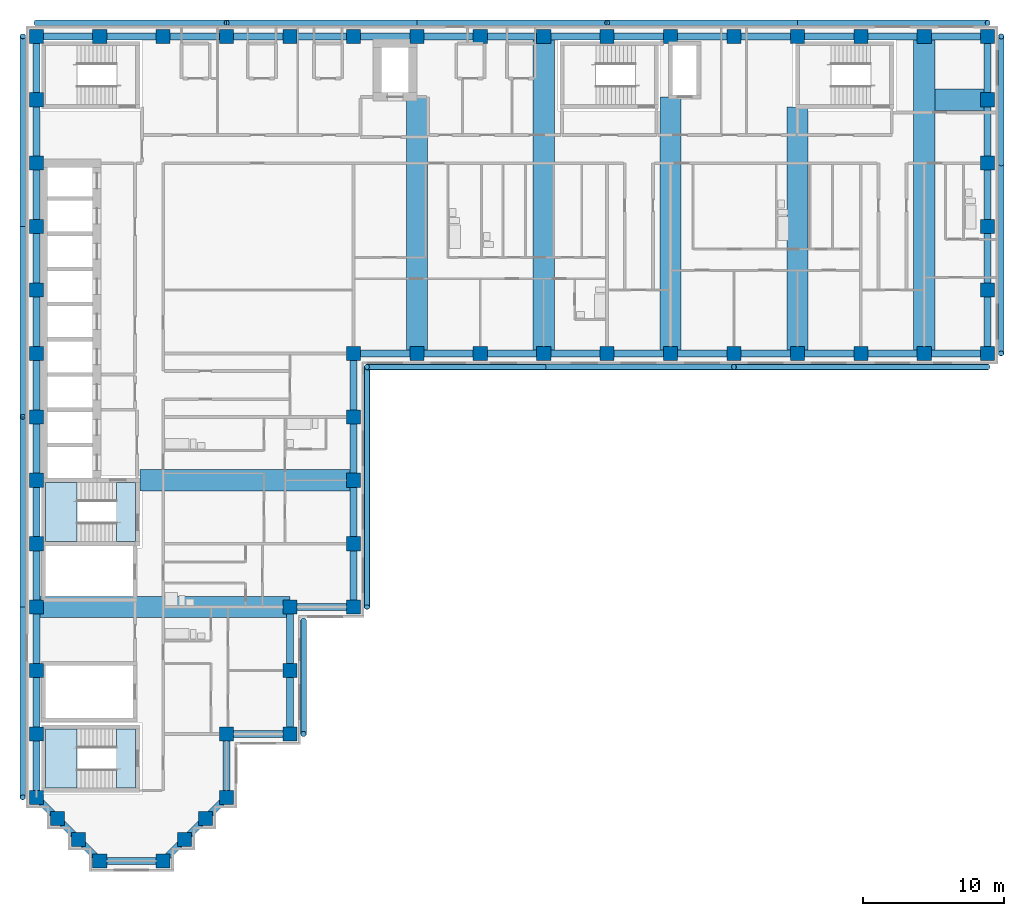
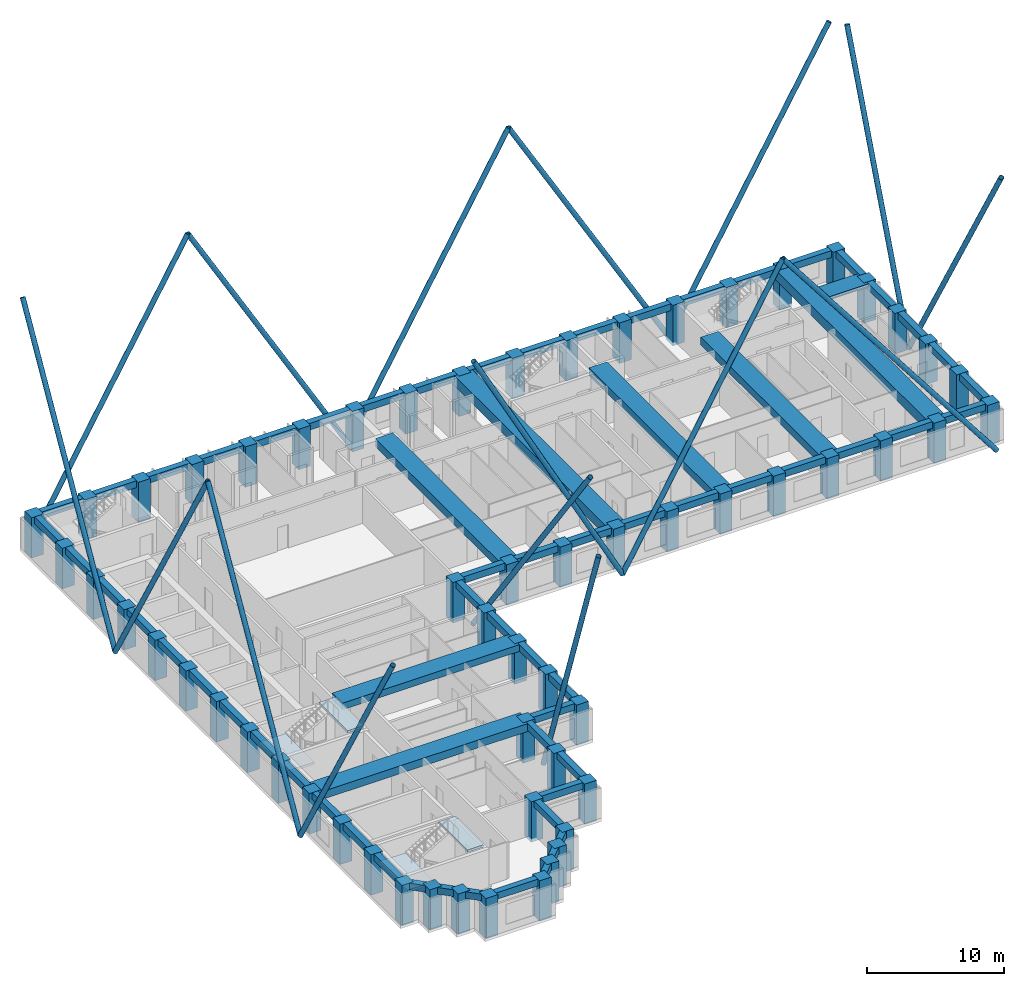
# One storey, part 1 of 13: 66 beams, 58 columns, 16 members, 4 slabs, 2 elements without a shape of their own.
"""IFC4 building model written with IfcOpenShell, lengths in metres."""

from ifc_helpers import new_model, si_unit, direction, frame, origin, origin_2d, place, context, subcontext, project, spatial, polyline, rectangle, hollow_circle, outline, extrude, material, layer, layer_set, material_profile, profile_set, type_object, element, aggregate, save


model = new_model("IFC4")

# Units and contexts
model_context = context("Model", 3, precision=1e-05, world=origin(), true_north=direction((0.0, 1.0)))
body_context = subcontext(model_context, "Body", "Model", "MODEL_VIEW")
ifc_project = project(units=[si_unit("LENGTHUNIT", "METRE"), si_unit("AREAUNIT", "SQUARE_METRE"), si_unit("VOLUMEUNIT", "CUBIC_METRE"), si_unit("PLANEANGLEUNIT", "RADIAN"), si_unit("MASSUNIT", "GRAM", prefix="KILO")], contexts=[model_context])

# Site, building, storey
site_placement = place(None, origin())
site = spatial("IfcSite", under=ifc_project, at=site_placement, CompositionType="ELEMENT")
building_placement = place(site_placement, origin())
building = spatial("IfcBuilding", under=site, at=building_placement, Name="Firuza Court", CompositionType="ELEMENT")
storey_placement = place(building_placement, frame((0.0, 0.0, 162.800048828125)))
storey = spatial("IfcBuildingStorey", under=building, at=storey_placement, Name="L41", CompositionType="ELEMENT", Elevation=162.800048828125)

# Columns
ifc_material_1 = material(Name="Concrete C60/75", Category="concrete")
ifc_material_profile_1 = material_profile(ifc_material_1, rectangle(XDim=1.0, YDim=1.0, at=origin_2d()), Name="RC 1000x1000")
ifc_profile_set_1 = profile_set([ifc_material_profile_1], Name="Concrete C60/75")
column_type = type_object("IfcColumnType", Name="Tube column RC 1000x1000 C60/75", PredefinedType="COLUMN", material=ifc_profile_set_1)
for number, where, z_axis, x_axis, name in (
    (1, (4.5, 0.0, -0.300048828125), (0.0, 0.0, 1.0), (1.0, 0.0, 0.0), "Column C-2D L41"),
    (2, (9.0, 0.0, -0.300048828125), (0.0, 0.0, 1.0), (1.0, 0.0, 0.0), "Column C-3D L41"),
    (3, (3.0, 1.5, -0.300048828125), (0.0, 0.0, 1.0), (1.0, 0.0, 0.0), "Column C-SA1 L41"),
    (4, (10.5, 1.5, -0.300048828125), (0.0, 0.0, 1.0), (1.0, 0.0, 0.0), "Column C-SA2 L41"),
    (5, (1.5, 3.0, -0.300048828125), (0.0, 0.0, 1.0), (1.0, 0.0, 0.0), "Column C-SA3 L41"),
    (6, (12.0, 3.0, -0.300048828125), (0.0, 0.0, 1.0), (1.0, 0.0, 0.0), "Column C-SA4 L41"),
    (7, (0.0, 4.5, -0.300048828125), (0.0, 0.0, 1.0), (1.0, 0.0, 0.0), "Column C-1E L41"),
    (8, (13.5, 4.5, -0.300048828125), (0.0, 0.0, 1.0), (1.0, 0.0, 0.0), "Column C-4E L41"),
    (9, (0.0, 9.0, -0.300048828125), (0.0, 0.0, 1.0), (1.0, 0.0, 0.0), "Column C-1F L41"),
    (10, (13.5, 9.0, -0.300048828125), (0.0, 0.0, 1.0), (1.0, 0.0, 0.0), "Column C-4F L41"),
    (11, (18.0, 9.0, -0.300048828125), (0.0, 0.0, 1.0), (1.0, 0.0, 0.0), "Column C-5F L41"),
    (12, (0.0, 13.5, -0.300048828125), (0.0, 0.0, 1.0), (1.0, 0.0, 0.0), "Column C-1G L41"),
    (13, (18.0, 13.5, -0.300048828125), (0.0, 0.0, 1.0), (1.0, 0.0, 0.0), "Column C-5G L41"),
    (14, (0.0, 18.0, -0.300048828125), (0.0, 0.0, 1.0), (1.0, 0.0, 0.0), "Column C-1H L41"),
    (15, (18.0, 18.0, -0.300048828125), (0.0, 0.0, 1.0), (1.0, 0.0, 0.0), "Column C-5H L41"),
    (16, (22.5, 18.0, -0.300048828125), (0.0, 0.0, 1.0), (1.0, 0.0, 0.0), "Column C-6H L41"),
    (17, (0.0, 22.5, -0.300048828125), (0.0, 0.0, 1.0), (1.0, 0.0, 0.0), "Column C-1J L41"),
    (18, (22.5, 22.5, -0.300048828125), (0.0, 0.0, 1.0), (1.0, 0.0, 0.0), "Column C-6J L41"),
    (19, (0.0, 27.0, -0.300048828125), (0.0, 0.0, 1.0), (1.0, 0.0, 0.0), "Column C-1K L41"),
    (20, (22.5, 27.0, -0.300048828125), (0.0, 0.0, 1.0), (1.0, 0.0, 0.0), "Column C-6K L41"),
    (21, (0.0, 31.5, -0.300048828125), (0.0, 0.0, 1.0), (1.0, 0.0, 0.0), "Column C-1L L41"),
    (22, (22.5, 31.5, -0.300048828125), (0.0, 0.0, 1.0), (1.0, 0.0, 0.0), "Column C-6L L41"),
    (23, (0.0, 36.0, -0.300048828125), (0.0, 0.0, 1.0), (1.0, 0.0, 0.0), "Column C-1M L41"),
    (24, (22.5, 36.0, -0.300048828125), (0.0, 0.0, 1.0), (1.0, 0.0, 0.0), "Column C-6M L41"),
    (25, (27.0, 36.0, -0.300048828125), (0.0, 0.0, 1.0), (1.0, 0.0, 0.0), "Column C-7M L41"),
    (26, (31.5, 36.0, -0.300048828125), (0.0, 0.0, 1.0), (1.0, 0.0, 0.0), "Column C-8M L41"),
    (27, (36.0, 36.0, -0.300048828125), (0.0, 0.0, 1.0), (1.0, 0.0, 0.0), "Column C-9M L41"),
    (28, (40.5, 36.0, -0.300048828125), (0.0, 0.0, 1.0), (1.0, 0.0, 0.0), "Column C-10M L41"),
    (29, (45.0, 36.0, -0.300048828125), (0.0, 0.0, 1.0), (1.0, 0.0, 0.0), "Column C-11M L41"),
    (30, (49.5, 36.0, -0.300048828125), (0.0, 0.0, 1.0), (1.0, 0.0, 0.0), "Column C-12M L41"),
    (31, (54.0, 36.0, -0.300048828125), (0.0, 0.0, 1.0), (1.0, 0.0, 0.0), "Column C-13M L41"),
    (32, (58.5, 36.0, -0.300048828125), (0.0, 0.0, 1.0), (1.0, 0.0, 0.0), "Column C-14M L41"),
    (33, (63.0, 36.0, -0.300048828125), (0.0, 0.0, 1.0), (1.0, 0.0, 0.0), "Column C-15M L41"),
    (34, (67.5, 36.0, -0.300048828125), (0.0, 0.0, 1.0), (1.0, 0.0, 0.0), "Column C-16M L41"),
    (35, (0.0, 40.5, -0.300048828125), (0.0, 0.0, 1.0), (1.0, 0.0, 0.0), "Column C-1N L41"),
    (36, (67.5, 40.5, -0.300048828125), (0.0, 0.0, 1.0), (1.0, 0.0, 0.0), "Column C-16N L41"),
    (37, (0.0, 45.0, -0.300048828125), (0.0, 0.0, 1.0), (1.0, 0.0, 0.0), "Column C-1P L41"),
    (38, (67.5, 45.0, -0.300048828125), (0.0, 0.0, 1.0), (1.0, 0.0, 0.0), "Column C-16P L41"),
    (39, (0.0, 49.5, -0.300048828125), (0.0, 0.0, 1.0), (1.0, 0.0, 0.0), "Column C-1Q L41"),
    (40, (67.5, 49.5, -0.300048828125), (0.0, 0.0, 1.0), (1.0, 0.0, 0.0), "Column C-16Q L41"),
    (41, (0.0, 54.0, -0.300048828125), (0.0, 0.0, 1.0), (1.0, 0.0, 0.0), "Column C-1R L41"),
    (42, (67.5, 54.0, -0.300048828125), (0.0, 0.0, 1.0), (1.0, 0.0, 0.0), "Column C-16R L41"),
    (43, (0.0, 58.5, -0.300048828125), (0.0, 0.0, 1.0), (1.0, 0.0, 0.0), "Column C-1S L41"),
    (44, (4.5, 58.5, -0.300048828125), (0.0, 0.0, 1.0), (1.0, 0.0, 0.0), "Column C-2S L41"),
    (45, (9.0, 58.5, -0.300048828125), (0.0, 0.0, 1.0), (1.0, 0.0, 0.0), "Column C-3S L41"),
    (46, (13.5, 58.5, -0.300048828125), (0.0, 0.0, 1.0), (1.0, 0.0, 0.0), "Column C-4S L41"),
    (47, (18.0, 58.5, -0.300048828125), (0.0, 0.0, 1.0), (1.0, 0.0, 0.0), "Column C-5S L41"),
    (48, (22.5, 58.5, -0.300048828125), (0.0, 0.0, 1.0), (1.0, 0.0, 0.0), "Column C-6S L41"),
    (49, (27.0, 58.5, -0.300048828125), (0.0, 0.0, 1.0), (1.0, 0.0, 0.0), "Column C-7S L41"),
    (50, (31.5, 58.5, -0.300048828125), (0.0, 0.0, 1.0), (1.0, 0.0, 0.0), "Column C-8S L41"),
    (51, (36.0, 58.5, -0.300048828125), (0.0, 0.0, 1.0), (1.0, 0.0, 0.0), "Column C-9S L41"),
    (52, (40.5, 58.5, -0.300048828125), (0.0, 0.0, 1.0), (1.0, 0.0, 0.0), "Column C-10S L41"),
    (53, (45.0, 58.5, -0.300048828125), (0.0, 0.0, 1.0), (1.0, 0.0, 0.0), "Column C-11S L41"),
    (54, (49.5, 58.5, -0.300048828125), (0.0, 0.0, 1.0), (1.0, 0.0, 0.0), "Column C-12S L41"),
    (55, (54.0, 58.5, -0.300048828125), (0.0, 0.0, 1.0), (1.0, 0.0, 0.0), "Column C-13S L41"),
    (56, (58.5, 58.5, -0.300048828125), (0.0, 0.0, 1.0), (1.0, 0.0, 0.0), "Column C-14S L41"),
    (57, (63.0, 58.5, -0.300048828125), (0.0, 0.0, 1.0), (1.0, 0.0, 0.0), "Column C-15S L41"),
    (58, (67.5, 58.5, -0.300048828125), (0.0, 0.0, 1.0), (1.0, 0.0, 0.0), "Column C-16S L41"),
):
    element("IfcColumn", number, at=place(storey_placement, frame(where, z_axis=z_axis, x_axis=x_axis)), inside=storey, type_object=column_type, Name=name, PredefinedType="COLUMN", context=body_context, shape_type="SweptSolid", body=[
        extrude(rectangle(XDim=1.0, YDim=1.0, at=origin_2d()), origin(), (0.0, 0.0, 1.0), 3.60009765625),
    ])

# Beams
ifc_material_2 = material(Name="Concrete C40/50", Category="concrete")
ifc_material_profile_2 = material_profile(ifc_material_2, rectangle(XDim=1.5, YDim=0.300048828125, at=origin_2d()), Name="RC 1500x300")
ifc_profile_set_2 = profile_set([ifc_material_profile_2], Name="Concrete C40/50")
beam_type_1 = type_object("IfcBeamType", Name="Band beam RC 1500x300 C40/50", PredefinedType="BEAM", material=ifc_profile_set_2)
beam_1_placement = place(storey_placement, frame((67.5, 54.0, 3.14990234375), z_axis=(-1.0, 0.0, 0.0), x_axis=(0.0, -1.0, 0.0)))
element("IfcBeam", 59, at=beam_1_placement, inside=storey, type_object=beam_type_1, Name="Band beam FB6 level L42", PredefinedType="BEAM", context=body_context, shape_type="SweptSolid", body=[
    extrude(rectangle(XDim=1.5, YDim=0.300048828125, at=origin_2d()), origin(), (0.0, 0.0, 1.0), 3.75),
])
ifc_material_3 = material(Name="Concrete C40/50", Category="concrete")
ifc_material_profile_3 = material_profile(ifc_material_3, rectangle(XDim=1.5, YDim=0.60009765625, at=origin_2d()), Name="RC 1500x600")
ifc_profile_set_3 = profile_set([ifc_material_profile_3], Name="Concrete C40/50")
beam_type_2 = type_object("IfcBeamType", Name="Band beam RC 1500x600 C40/50", PredefinedType="BEAM", material=ifc_profile_set_3)
beam_2_placement = place(storey_placement, frame((22.5, 27.0, 3.0), z_axis=(-1.0, 0.0, 0.0), x_axis=(0.0, -1.0, 0.0)))
element("IfcBeam", 60, at=beam_2_placement, inside=storey, type_object=beam_type_2, Name="Band beam FB3 level L42", PredefinedType="BEAM", context=body_context, shape_type="SweptSolid", body=[
    extrude(rectangle(XDim=1.5, YDim=0.60009765625, at=origin_2d()), origin(), (0.0, 0.0, 1.0), 15.14990234375),
])
ifc_material_4 = material(Name="Concrete C40/50", Category="concrete")
ifc_material_profile_4 = material_profile(ifc_material_4, rectangle(XDim=1.5, YDim=0.699951171875, at=origin_2d()), Name="RC 1500x700")
ifc_profile_set_4 = profile_set([ifc_material_profile_4], Name="Concrete C40/50")
beam_type_3 = type_object("IfcBeamType", Name="Band beam RC 1500x700 C40/50", PredefinedType="BEAM", material=ifc_profile_set_4)
beam_3_placement = place(storey_placement, frame((0.0, 18.0, 2.949951171875), z_axis=(1.0, 0.0, 0.0), x_axis=(0.0, 1.0, 0.0)))
element("IfcBeam", 61, at=beam_3_placement, inside=storey, type_object=beam_type_3, Name="Band beam FB1 level L42", PredefinedType="BEAM", context=body_context, shape_type="SweptSolid", body=[
    extrude(rectangle(XDim=1.5, YDim=0.699951171875, at=origin_2d()), origin(), (0.0, 0.0, 1.0), 18.0),
])
for number, where, z_axis, x_axis, name in (
    (62, (27.0, 36.0, 2.949951171875), (0.0, 1.0, 0.0), (-1.0, 0.0, 0.0), "Band beam FB1 level L42"),
    (63, (45.0, 36.0, 2.949951171875), (0.0, 1.0, 0.0), (-1.0, 0.0, 0.0), "Band beam FB1 level L42"),
):
    element("IfcBeam", number, at=place(storey_placement, frame(where, z_axis=z_axis, x_axis=x_axis)), inside=storey, type_object=beam_type_3, Name=name, PredefinedType="BEAM", context=body_context, shape_type="SweptSolid", body=[
        extrude(rectangle(XDim=1.5, YDim=0.699951171875, at=origin_2d()), origin(), (0.0, 0.0, 1.0), 18.199951171875),
    ])
beam_4_placement = place(storey_placement, frame((54.0, 36.0, 2.949951171875), z_axis=(0.0, 1.0, 0.0), x_axis=(-1.0, 0.0, 0.0)))
element("IfcBeam", 64, at=beam_4_placement, inside=storey, type_object=beam_type_3, Name="Band beam FB1 level L42", PredefinedType="BEAM", context=body_context, shape_type="SweptSolid", body=[
    extrude(rectangle(XDim=1.5, YDim=0.699951171875, at=origin_2d()), origin(), (0.0, 0.0, 1.0), 17.5),
])
ifc_material_5 = material(Name="Concrete C40/50", Category="concrete")
ifc_material_profile_5 = material_profile(ifc_material_5, rectangle(XDim=1.5, YDim=0.89990234375, at=origin_2d()), Name="RC 1500x900")
ifc_profile_set_5 = profile_set([ifc_material_profile_5], Name="Concrete C40/50")
beam_type_4 = type_object("IfcBeamType", Name="Band beam RC 1500x900 C40/50", PredefinedType="BEAM", material=ifc_profile_set_5)
for number, where, z_axis, x_axis, name in (
    (65, (36.0, 36.0, 2.849853515625), (0.0, 1.0, 0.0), (-1.0, 0.0, 0.0), "Band beam FB2 level L42"),
    (66, (63.0, 36.0, 2.849853515625), (0.0, 1.0, 0.0), (-1.0, 0.0, 0.0), "Band beam FB2 level L42"),
):
    element("IfcBeam", number, at=place(storey_placement, frame(where, z_axis=z_axis, x_axis=x_axis)), inside=storey, type_object=beam_type_4, Name=name, PredefinedType="BEAM", context=body_context, shape_type="SweptSolid", body=[
        extrude(rectangle(XDim=1.5, YDim=0.89990234375, at=origin_2d()), origin(), (0.0, 0.0, 1.0), 22.5),
    ])

# Members
ifc_material_6 = material(Name="Steel S355", Category="steel")
ifc_material_profile_6 = material_profile(ifc_material_6, hollow_circle(Radius=0.203125, WallThickness=0.01611328125, at=origin_2d()), Name="CHS 406.4x16")
ifc_profile_set_6 = profile_set([ifc_material_profile_6], Name="Steel S355")
member_type = type_object("IfcMemberType", Name="Diagrid diagonal CHS 406.4x16 S355", PredefinedType="USERDEFINED", material=ifc_profile_set_6)
member_1_placement = place(storey_placement, frame((18.958251953125, 17.041748046875, -0.550048828125), z_axis=(0.0, -0.325628414626, 0.945497824211), x_axis=(1.0, 0.0, 0.0)))
element("IfcMember", 67, at=member_1_placement, inside=storey, type_object=member_type, Name="Diagrid diagonal L41 to L47", ObjectType="DIAGRID", PredefinedType="USERDEFINED", context=body_context, shape_type="SweptSolid", body=[
    extrude(hollow_circle(Radius=0.203125, WallThickness=0.01611328125, at=origin_2d()), origin(), (0.0, 0.0, 1.0), 24.696044921875),
])
member_2_placement = place(storey_placement, frame((23.458251953125, 35.041748046875, -0.550048828125), z_axis=(0.0, -0.589525220721, 0.807749970061), x_axis=(1.0, 0.0, 0.0)))
element("IfcMember", 68, at=member_2_placement, inside=storey, type_object=member_type, Name="Diagrid diagonal L41 to L47", ObjectType="DIAGRID", PredefinedType="USERDEFINED", context=body_context, shape_type="SweptSolid", body=[
    extrude(hollow_circle(Radius=0.203125, WallThickness=0.01611328125, at=origin_2d()), origin(), (0.0, 0.0, 1.0), 28.907470703125),
])
member_3_placement = place(storey_placement, frame((36.0, 35.041748046875, -0.550048828125), z_axis=(-0.4731817122, 0.0, 0.880964850173), x_axis=(0.0, -1.0, 0.0)))
element("IfcMember", 69, at=member_3_placement, inside=storey, type_object=member_type, Name="Diagrid diagonal L41 to L47", ObjectType="DIAGRID", PredefinedType="USERDEFINED", context=body_context, shape_type="SweptSolid", body=[
    extrude(hollow_circle(Radius=0.203125, WallThickness=0.01611328125, at=origin_2d()), origin(), (0.0, 0.0, 1.0), 26.505126953125),
])
member_4_placement = place(storey_placement, frame((36.0, 35.041748046875, -0.550048828125), z_axis=(0.500523089768, 0.0, 0.865723187058), x_axis=(0.0, 1.0, 0.0)))
element("IfcMember", 70, at=member_4_placement, inside=storey, type_object=member_type, Name="Diagrid diagonal L41 to L47", ObjectType="DIAGRID", PredefinedType="USERDEFINED", context=body_context, shape_type="SweptSolid", body=[
    extrude(hollow_circle(Radius=0.203125, WallThickness=0.01611328125, at=origin_2d()), origin(), (0.0, 0.0, 1.0), 26.9716796875),
])
member_5_placement = place(storey_placement, frame((67.5, 35.041748046875, -0.550048828125), z_axis=(-0.610528421281, 0.0, 0.791994347712), x_axis=(0.0, -1.0, 0.0)))
element("IfcMember", 71, at=member_5_placement, inside=storey, type_object=member_type, Name="Diagrid diagonal L41 to L47", ObjectType="DIAGRID", PredefinedType="USERDEFINED", context=body_context, shape_type="SweptSolid", body=[
    extrude(hollow_circle(Radius=0.203125, WallThickness=0.01611328125, at=origin_2d()), origin(), (0.0, 0.0, 1.0), 29.482666015625),
])
member_6_placement = place(storey_placement, frame((68.458251953125, 49.5, -0.550048828125), z_axis=(0.0, -0.500523089768, 0.865723187058), x_axis=(1.0, 0.0, 0.0)))
element("IfcMember", 72, at=member_6_placement, inside=storey, type_object=member_type, Name="Diagrid diagonal L41 to L47", ObjectType="DIAGRID", PredefinedType="USERDEFINED", context=body_context, shape_type="SweptSolid", body=[
    extrude(hollow_circle(Radius=0.203125, WallThickness=0.01611328125, at=origin_2d()), origin(), (0.0, 0.0, 1.0), 26.9716796875),
])
member_7_placement = place(storey_placement, frame((68.458251953125, 49.5, -0.550048828125), z_axis=(0.0, 0.359647126072, 0.933088390619), x_axis=(-1.0, 0.0, 0.0)))
element("IfcMember", 73, at=member_7_placement, inside=storey, type_object=member_type, Name="Diagrid diagonal L41 to L47", ObjectType="DIAGRID", PredefinedType="USERDEFINED", context=body_context, shape_type="SweptSolid", body=[
    extrude(hollow_circle(Radius=0.203125, WallThickness=0.01611328125, at=origin_2d()), origin(), (0.0, 0.0, 1.0), 25.0244140625),
])
for number, where, z_axis, x_axis, name in (
    (74, (54.0, 59.458251953125, -0.550048828125), (0.500523089768, 0.0, 0.865723187058), (0.0, 1.0, 0.0), "Diagrid diagonal L41 to L47"),
    (75, (54.0, 59.458251953125, -0.550048828125), (-0.500523089768, 0.0, 0.865723187058), (0.0, -1.0, 0.0), "Diagrid diagonal L41 to L47"),
    (76, (27.0, 59.458251953125, -0.550048828125), (0.500523089768, 0.0, 0.865723187058), (0.0, 1.0, 0.0), "Diagrid diagonal L41 to L47"),
    (77, (27.0, 59.458251953125, -0.550048828125), (-0.500523089768, 0.0, 0.865723187058), (0.0, -1.0, 0.0), "Diagrid diagonal L41 to L47"),
    (78, (0.0, 59.458251953125, -0.550048828125), (0.500523089768, 0.0, 0.865723187058), (0.0, 1.0, 0.0), "Diagrid diagonal L41 to L47"),
    (79, (-0.958251953125, 45.0, -0.550048828125), (0.0, 0.500523089768, 0.865723187058), (-1.0, 0.0, 0.0), "Diagrid diagonal L41 to L47"),
    (80, (-0.958251953125, 45.0, -0.550048828125), (0.0, -0.500523089768, 0.865723187058), (1.0, 0.0, 0.0), "Diagrid diagonal L41 to L47"),
    (81, (-0.958251953125, 18.0, -0.550048828125), (0.0, 0.500523089768, 0.865723187058), (-1.0, 0.0, 0.0), "Diagrid diagonal L41 to L47"),
    (82, (-0.958251953125, 18.0, -0.550048828125), (0.0, -0.500523089768, 0.865723187058), (1.0, 0.0, 0.0), "Diagrid diagonal L41 to L47"),
):
    element("IfcMember", number, at=place(storey_placement, frame(where, z_axis=z_axis, x_axis=x_axis)), inside=storey, type_object=member_type, Name=name, ObjectType="DIAGRID", PredefinedType="USERDEFINED", context=body_context, shape_type="SweptSolid", body=[
        extrude(hollow_circle(Radius=0.203125, WallThickness=0.01611328125, at=origin_2d()), origin(), (0.0, 0.0, 1.0), 26.9716796875),
    ])

# Beams
ifc_material_7 = material(Name="Concrete C40/50", Category="concrete")
ifc_material_profile_7 = material_profile(ifc_material_7, rectangle(XDim=0.5, YDim=0.60009765625, at=origin_2d()), Name="RC 500x600")
ifc_profile_set_7 = profile_set([ifc_material_profile_7], Name="Concrete C40/50")
beam_type_5 = type_object("IfcBeamType", Name="Spandrel beam RC 500x600 C40/50", PredefinedType="BEAM", material=ifc_profile_set_7)
beam_5_placement = place(storey_placement, frame((0.0, 4.5, 3.0), z_axis=(0.707106781187, -0.707106781187, 0.0), x_axis=(0.707106781187, 0.707106781187, 0.0)))
element("IfcBeam", 83, at=beam_5_placement, inside=storey, type_object=beam_type_5, Name="Spandrel beam SP13 level L42", PredefinedType="BEAM", context=body_context, shape_type="SweptSolid", body=[
    extrude(rectangle(XDim=0.5, YDim=0.60009765625, at=origin_2d()), origin(), (0.0, 0.0, 1.0), 2.121337890625),
])
for number, where, z_axis, x_axis, name in (
    (84, (0.0, 9.0, 3.0), (0.0, -1.0, 0.0), (1.0, 0.0, 0.0), "Spandrel beam SP13 level L42"),
    (85, (0.0, 13.5, 3.0), (0.0, -1.0, 0.0), (1.0, 0.0, 0.0), "Spandrel beam SP13 level L42"),
    (86, (0.0, 18.0, 3.0), (0.0, -1.0, 0.0), (1.0, 0.0, 0.0), "Spandrel beam SP13 level L42"),
    (87, (0.0, 22.5, 3.0), (0.0, -1.0, 0.0), (1.0, 0.0, 0.0), "Spandrel beam SP13 level L42"),
    (88, (0.0, 27.0, 3.0), (0.0, -1.0, 0.0), (1.0, 0.0, 0.0), "Spandrel beam SP13 level L42"),
    (89, (0.0, 31.5, 3.0), (0.0, -1.0, 0.0), (1.0, 0.0, 0.0), "Spandrel beam SP13 level L42"),
    (90, (0.0, 36.0, 3.0), (0.0, -1.0, 0.0), (1.0, 0.0, 0.0), "Spandrel beam SP13 level L42"),
    (91, (0.0, 40.5, 3.0), (0.0, -1.0, 0.0), (1.0, 0.0, 0.0), "Spandrel beam SP13 level L42"),
    (92, (0.0, 45.0, 3.0), (0.0, -1.0, 0.0), (1.0, 0.0, 0.0), "Spandrel beam SP13 level L42"),
    (93, (0.0, 49.5, 3.0), (0.0, -1.0, 0.0), (1.0, 0.0, 0.0), "Spandrel beam SP13 level L42"),
    (94, (0.0, 54.0, 3.0), (0.0, -1.0, 0.0), (1.0, 0.0, 0.0), "Spandrel beam SP13 level L42"),
    (95, (0.0, 58.5, 3.0), (0.0, -1.0, 0.0), (1.0, 0.0, 0.0), "Spandrel beam SP13 level L42"),
):
    element("IfcBeam", number, at=place(storey_placement, frame(where, z_axis=z_axis, x_axis=x_axis)), inside=storey, type_object=beam_type_5, Name=name, PredefinedType="BEAM", context=body_context, shape_type="SweptSolid", body=[
        extrude(rectangle(XDim=0.5, YDim=0.60009765625, at=origin_2d()), origin(), (0.0, 0.0, 1.0), 4.5),
    ])
for number, where, z_axis, x_axis, name in (
    (96, (1.5, 3.0, 3.0), (0.707106781187, -0.707106781187, 0.0), (0.707106781187, 0.707106781187, 0.0), "Spandrel beam SP13 level L42"),
    (97, (3.0, 1.5, 3.0), (0.707106781187, -0.707106781187, 0.0), (0.707106781187, 0.707106781187, 0.0), "Spandrel beam SP13 level L42"),
):
    element("IfcBeam", number, at=place(storey_placement, frame(where, z_axis=z_axis, x_axis=x_axis)), inside=storey, type_object=beam_type_5, Name=name, PredefinedType="BEAM", context=body_context, shape_type="SweptSolid", body=[
        extrude(rectangle(XDim=0.5, YDim=0.60009765625, at=origin_2d()), origin(), (0.0, 0.0, 1.0), 2.121337890625),
    ])
for number, where, z_axis, x_axis, name in (
    (98, (4.5, 0.0, 3.0), (1.0, 0.0, 0.0), (0.0, 1.0, 0.0), "Spandrel beam SP13 level L42"),
    (99, (4.5, 58.5, 3.0), (-1.0, 0.0, 0.0), (0.0, -1.0, 0.0), "Spandrel beam SP13 level L42"),
):
    element("IfcBeam", number, at=place(storey_placement, frame(where, z_axis=z_axis, x_axis=x_axis)), inside=storey, type_object=beam_type_5, Name=name, PredefinedType="BEAM", context=body_context, shape_type="SweptSolid", body=[
        extrude(rectangle(XDim=0.5, YDim=0.60009765625, at=origin_2d()), origin(), (0.0, 0.0, 1.0), 4.5),
    ])
beam_6_placement = place(storey_placement, frame((9.0, 0.0, 3.0), z_axis=(0.707106781187, 0.707106781187, 0.0), x_axis=(-0.707106781187, 0.707106781187, 0.0)))
element("IfcBeam", 100, at=beam_6_placement, inside=storey, type_object=beam_type_5, Name="Spandrel beam SP13 level L42", PredefinedType="BEAM", context=body_context, shape_type="SweptSolid", body=[
    extrude(rectangle(XDim=0.5, YDim=0.60009765625, at=origin_2d()), origin(), (0.0, 0.0, 1.0), 2.121337890625),
])
beam_7_placement = place(storey_placement, frame((9.0, 58.5, 3.0), z_axis=(-1.0, 0.0, 0.0), x_axis=(0.0, -1.0, 0.0)))
element("IfcBeam", 101, at=beam_7_placement, inside=storey, type_object=beam_type_5, Name="Spandrel beam SP13 level L42", PredefinedType="BEAM", context=body_context, shape_type="SweptSolid", body=[
    extrude(rectangle(XDim=0.5, YDim=0.60009765625, at=origin_2d()), origin(), (0.0, 0.0, 1.0), 4.5),
])
for number, where, z_axis, x_axis, name in (
    (102, (10.5, 1.5, 3.0), (0.707106781187, 0.707106781187, 0.0), (-0.707106781187, 0.707106781187, 0.0), "Spandrel beam SP13 level L42"),
    (103, (12.0, 3.0, 3.0), (0.707106781187, 0.707106781187, 0.0), (-0.707106781187, 0.707106781187, 0.0), "Spandrel beam SP13 level L42"),
):
    element("IfcBeam", number, at=place(storey_placement, frame(where, z_axis=z_axis, x_axis=x_axis)), inside=storey, type_object=beam_type_5, Name=name, PredefinedType="BEAM", context=body_context, shape_type="SweptSolid", body=[
        extrude(rectangle(XDim=0.5, YDim=0.60009765625, at=origin_2d()), origin(), (0.0, 0.0, 1.0), 2.121337890625),
    ])
for number, where, z_axis, x_axis, name in (
    (104, (13.5, 4.5, 3.0), (0.0, 1.0, 0.0), (-1.0, 0.0, 0.0), "Spandrel beam SP13 level L42"),
    (105, (13.5, 9.0, 3.0), (1.0, 0.0, 0.0), (0.0, 1.0, 0.0), "Spandrel beam SP13 level L42"),
    (106, (13.5, 58.5, 3.0), (-1.0, 0.0, 0.0), (0.0, -1.0, 0.0), "Spandrel beam SP13 level L42"),
    (107, (18.0, 9.0, 3.0), (0.0, 1.0, 0.0), (-1.0, 0.0, 0.0), "Spandrel beam SP13 level L42"),
    (108, (18.0, 13.5, 3.0), (0.0, 1.0, 0.0), (-1.0, 0.0, 0.0), "Spandrel beam SP13 level L42"),
    (109, (18.0, 18.0, 3.0), (1.0, 0.0, 0.0), (0.0, 1.0, 0.0), "Spandrel beam SP13 level L42"),
    (110, (18.0, 58.5, 3.0), (-1.0, 0.0, 0.0), (0.0, -1.0, 0.0), "Spandrel beam SP13 level L42"),
    (111, (22.5, 18.0, 3.0), (0.0, 1.0, 0.0), (-1.0, 0.0, 0.0), "Spandrel beam SP13 level L42"),
    (112, (22.5, 22.5, 3.0), (0.0, 1.0, 0.0), (-1.0, 0.0, 0.0), "Spandrel beam SP13 level L42"),
    (113, (22.5, 27.0, 3.0), (0.0, 1.0, 0.0), (-1.0, 0.0, 0.0), "Spandrel beam SP13 level L42"),
    (114, (22.5, 31.5, 3.0), (0.0, 1.0, 0.0), (-1.0, 0.0, 0.0), "Spandrel beam SP13 level L42"),
    (115, (22.5, 36.0, 3.0), (1.0, 0.0, 0.0), (0.0, 1.0, 0.0), "Spandrel beam SP13 level L42"),
    (116, (22.5, 58.5, 3.0), (-1.0, 0.0, 0.0), (0.0, -1.0, 0.0), "Spandrel beam SP13 level L42"),
    (117, (27.0, 36.0, 3.0), (1.0, 0.0, 0.0), (0.0, 1.0, 0.0), "Spandrel beam SP13 level L42"),
    (118, (27.0, 58.5, 3.0), (-1.0, 0.0, 0.0), (0.0, -1.0, 0.0), "Spandrel beam SP13 level L42"),
    (119, (31.5, 36.0, 3.0), (1.0, 0.0, 0.0), (0.0, 1.0, 0.0), "Spandrel beam SP13 level L42"),
    (120, (31.5, 58.5, 3.0), (-1.0, 0.0, 0.0), (0.0, -1.0, 0.0), "Spandrel beam SP13 level L42"),
    (121, (36.0, 36.0, 3.0), (1.0, 0.0, 0.0), (0.0, 1.0, 0.0), "Spandrel beam SP13 level L42"),
    (122, (36.0, 58.5, 3.0), (-1.0, 0.0, 0.0), (0.0, -1.0, 0.0), "Spandrel beam SP13 level L42"),
    (123, (40.5, 36.0, 3.0), (1.0, 0.0, 0.0), (0.0, 1.0, 0.0), "Spandrel beam SP13 level L42"),
    (124, (40.5, 58.5, 3.0), (-1.0, 0.0, 0.0), (0.0, -1.0, 0.0), "Spandrel beam SP13 level L42"),
    (125, (45.0, 36.0, 3.0), (1.0, 0.0, 0.0), (0.0, 1.0, 0.0), "Spandrel beam SP13 level L42"),
    (126, (45.0, 58.5, 3.0), (-1.0, 0.0, 0.0), (0.0, -1.0, 0.0), "Spandrel beam SP13 level L42"),
    (127, (49.5, 36.0, 3.0), (1.0, 0.0, 0.0), (0.0, 1.0, 0.0), "Spandrel beam SP13 level L42"),
    (128, (49.5, 58.5, 3.0), (-1.0, 0.0, 0.0), (0.0, -1.0, 0.0), "Spandrel beam SP13 level L42"),
    (129, (54.0, 36.0, 3.0), (1.0, 0.0, 0.0), (0.0, 1.0, 0.0), "Spandrel beam SP13 level L42"),
    (130, (54.0, 58.5, 3.0), (-1.0, 0.0, 0.0), (0.0, -1.0, 0.0), "Spandrel beam SP13 level L42"),
    (131, (58.5, 36.0, 3.0), (1.0, 0.0, 0.0), (0.0, 1.0, 0.0), "Spandrel beam SP13 level L42"),
    (132, (58.5, 58.5, 3.0), (-1.0, 0.0, 0.0), (0.0, -1.0, 0.0), "Spandrel beam SP13 level L42"),
    (133, (63.0, 36.0, 3.0), (1.0, 0.0, 0.0), (0.0, 1.0, 0.0), "Spandrel beam SP13 level L42"),
    (134, (63.0, 58.5, 3.0), (-1.0, 0.0, 0.0), (0.0, -1.0, 0.0), "Spandrel beam SP13 level L42"),
    (135, (67.5, 36.0, 3.0), (0.0, 1.0, 0.0), (-1.0, 0.0, 0.0), "Spandrel beam SP13 level L42"),
    (136, (67.5, 40.5, 3.0), (0.0, 1.0, 0.0), (-1.0, 0.0, 0.0), "Spandrel beam SP13 level L42"),
    (137, (67.5, 45.0, 3.0), (0.0, 1.0, 0.0), (-1.0, 0.0, 0.0), "Spandrel beam SP13 level L42"),
    (138, (67.5, 49.5, 3.0), (0.0, 1.0, 0.0), (-1.0, 0.0, 0.0), "Spandrel beam SP13 level L42"),
    (139, (67.5, 54.0, 3.0), (0.0, 1.0, 0.0), (-1.0, 0.0, 0.0), "Spandrel beam SP13 level L42"),
    (140, (67.5, 58.5, 3.0), (-1.0, 0.0, 0.0), (0.0, -1.0, 0.0), "Spandrel beam SP13 level L42"),
):
    element("IfcBeam", number, at=place(storey_placement, frame(where, z_axis=z_axis, x_axis=x_axis)), inside=storey, type_object=beam_type_5, Name=name, PredefinedType="BEAM", context=body_context, shape_type="SweptSolid", body=[
        extrude(rectangle(XDim=0.5, YDim=0.60009765625, at=origin_2d()), origin(), (0.0, 0.0, 1.0), 4.5),
    ])

# Stair, slabs
ifc_material_8 = material(Name="Concrete C40/50 precast", Category="concrete")
stair_type = type_object("IfcStairType", Name="Stair 1350 x 3600 2 flights", PredefinedType="HALF_TURN_STAIR", material=ifc_material_8)
stair_1_placement = place(storey_placement, origin())
stair_1 = element("IfcStair", 141, at=stair_1_placement, inside=storey, type_object=stair_type, Name="Stair 2 L41", PredefinedType="HALF_TURN_STAIR")
ifc_material_9 = material(Name="Concrete C40/50 precast", Category="concrete")
ifc_layer = layer(ifc_material_9, 0.199951171875)
ifc_layer_set = layer_set([ifc_layer], Name="Concrete C40/50 precast")
slab_type = type_object("IfcSlabType", Name="Stair landing 200", PredefinedType="LANDING", material=ifc_layer_set)
slab_1_placement = place(storey_placement, frame((0.0, 0.0, 1.599853515625)))
slab_1 = element("IfcSlab", 142, at=slab_1_placement, type_object=slab_type, Name="S2 landing 1", PredefinedType="LANDING", context=body_context, shape_type="SweptSolid", body=[
    extrude(outline(polyline([(2.89990234375, 22.64990234375), (2.89990234375, 26.85009765625), (0.64990234375, 26.85009765625), (0.64990234375, 22.64990234375), (2.89990234375, 22.64990234375)])), origin(), (0.0, 0.0, 1.0), 0.2001953125),
])
slab_2_placement = place(storey_placement, frame((0.0, 0.0, 3.39990234375)))
slab_2 = element("IfcSlab", 143, at=slab_2_placement, type_object=slab_type, Name="S2 landing 2", PredefinedType="LANDING", context=body_context, shape_type="SweptSolid", body=[
    extrude(outline(polyline([(7.050048828125, 22.64990234375), (7.050048828125, 26.85009765625), (5.699951171875, 26.85009765625), (5.699951171875, 22.64990234375), (7.050048828125, 22.64990234375)])), origin(), (0.0, 0.0, 1.0), 0.199951171875),
])
aggregate(stair_1, [slab_1, slab_2])

stair_2_placement = place(storey_placement, origin())
stair_2 = element("IfcStair", 144, at=stair_2_placement, inside=storey, type_object=stair_type, Name="Stair 5 L41", PredefinedType="HALF_TURN_STAIR")
slab_3_placement = place(storey_placement, frame((0.0, 0.0, 1.599853515625)))
slab_3 = element("IfcSlab", 145, at=slab_3_placement, type_object=slab_type, Name="S5 landing 1", PredefinedType="LANDING", context=body_context, shape_type="SweptSolid", body=[
    extrude(outline(polyline([(2.89990234375, 5.14990234375), (2.89990234375, 9.35009765625), (0.64990234375, 9.35009765625), (0.64990234375, 5.14990234375), (2.89990234375, 5.14990234375)])), origin(), (0.0, 0.0, 1.0), 0.2001953125),
])
slab_4_placement = place(storey_placement, frame((0.0, 0.0, 3.39990234375)))
slab_4 = element("IfcSlab", 146, at=slab_4_placement, type_object=slab_type, Name="S5 landing 2", PredefinedType="LANDING", context=body_context, shape_type="SweptSolid", body=[
    extrude(outline(polyline([(7.050048828125, 5.14990234375), (7.050048828125, 9.35009765625), (5.699951171875, 9.35009765625), (5.699951171875, 5.14990234375), (7.050048828125, 5.14990234375)])), origin(), (0.0, 0.0, 1.0), 0.199951171875),
])
aggregate(stair_2, [slab_3, slab_4])

save(model, "model.ifc")
